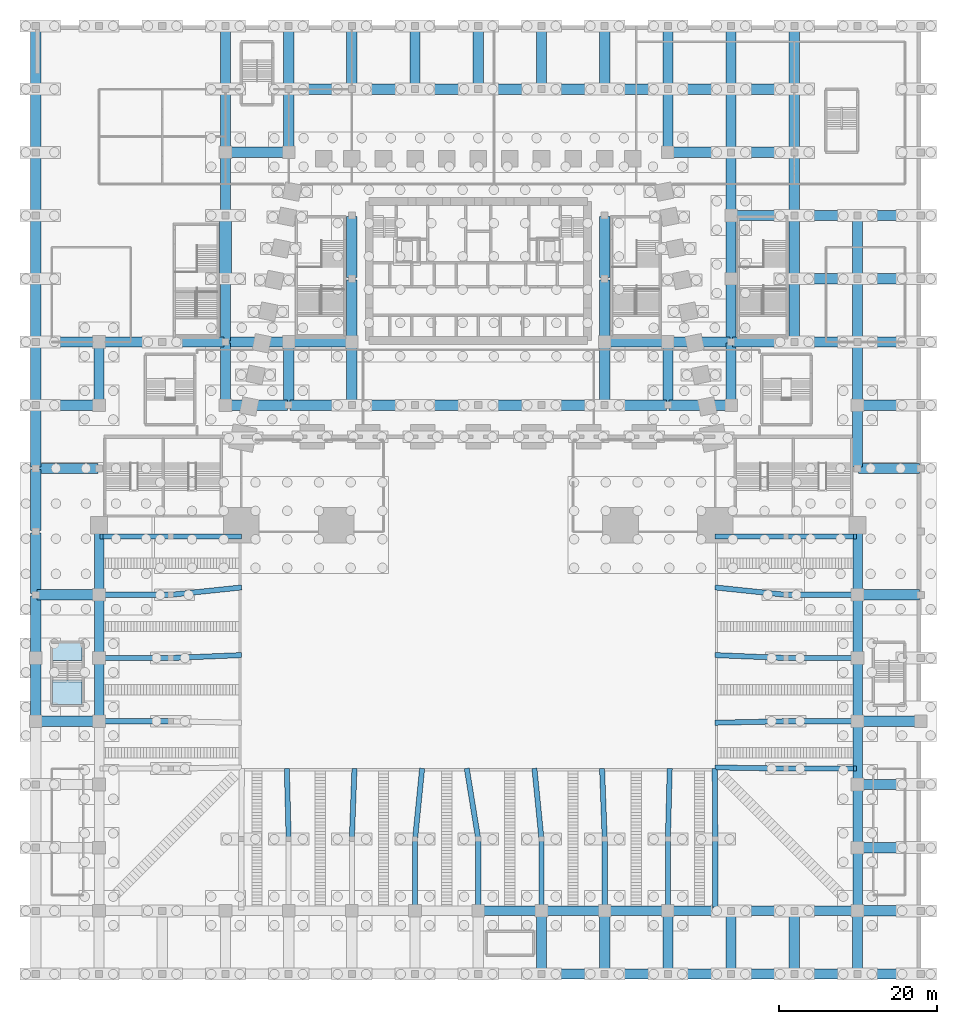
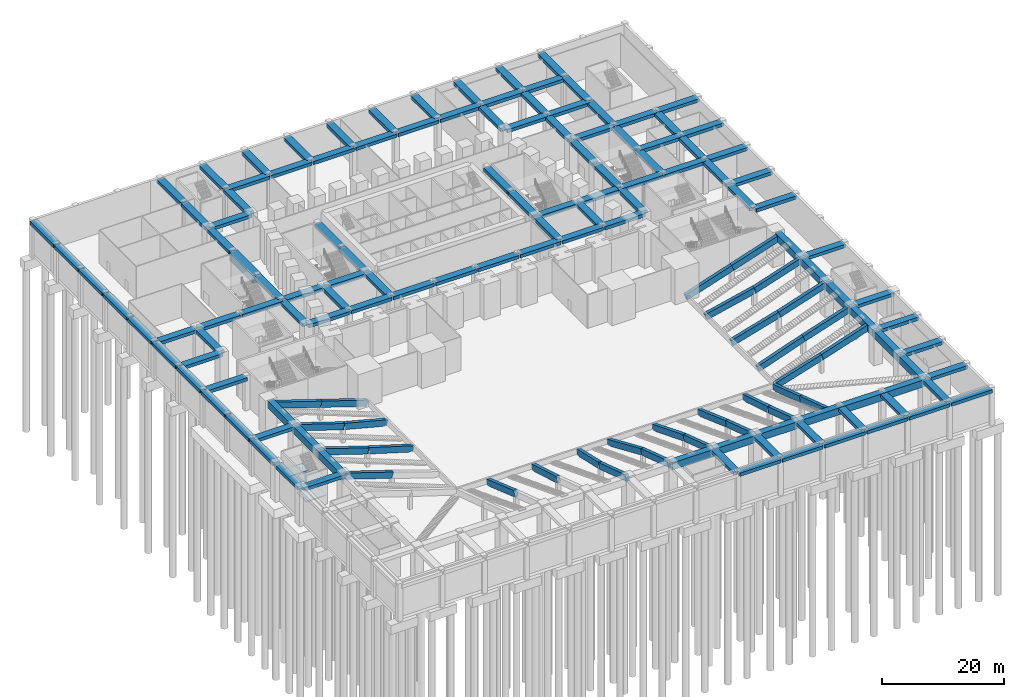
# One storey, part 5 of 30: 153 beams, 3 slabs, 1 element without a shape of its own.
"""IFC4 building model written with IfcOpenShell, lengths in metres."""

from ifc_helpers import new_model, si_unit, direction, frame, origin, origin_2d, place, context, subcontext, project, spatial, polyline, rectangle, outline, extrude, material, layer, layer_set, material_profile, profile_set, type_object, element, aggregate, save


model = new_model("IFC4")

# Units and contexts
model_context = context("Model", 3, precision=1e-05, world=origin(), true_north=direction((0.0, 1.0)))
body_context = subcontext(model_context, "Body", "Model", "MODEL_VIEW")
ifc_project = project(units=[si_unit("LENGTHUNIT", "METRE"), si_unit("AREAUNIT", "SQUARE_METRE"), si_unit("VOLUMEUNIT", "CUBIC_METRE"), si_unit("PLANEANGLEUNIT", "RADIAN"), si_unit("MASSUNIT", "GRAM", prefix="KILO")], contexts=[model_context])

# Site, building, storey
site_placement = place(None, origin())
site = spatial("IfcSite", under=ifc_project, at=site_placement, CompositionType="ELEMENT")
building_placement = place(site_placement, origin())
building = spatial("IfcBuilding", under=site, at=building_placement, Name="Isbrekke Arena Tower", CompositionType="ELEMENT")
storey_placement = place(building_placement, frame((0.0, 0.0, -7.0)))
storey = spatial("IfcBuildingStorey", under=building, at=storey_placement, Name="B1", CompositionType="ELEMENT", Elevation=-7.0)

# Beams
ifc_material_1 = material(Name="Concrete B45 (C45/55)", Category="concrete")
ifc_material_profile_1 = material_profile(ifc_material_1, rectangle(XDim=1.300048828125, YDim=0.64990234375, at=origin_2d()), Name="RC 1300x650")
ifc_profile_set_1 = profile_set([ifc_material_profile_1], Name="Concrete B45 (C45/55)")
beam_type_1 = type_object("IfcBeamType", Name="PB1 RC 1300 x 650", PredefinedType="BEAM", material=ifc_profile_set_1)
for number, where, z_axis, x_axis, name in (
    (1, (8.14990234375, -74.0, 6.375), (1.0, 0.0, 0.0), (0.0, 1.0, 0.0), "PB1 podium beam A9 L00"),
    (2, (8.0, -73.85009765625, 6.375), (0.0, 1.0, 0.0), (-1.0, 0.0, 0.0), "PB1 podium beam A9 L00"),
    (3, (16.14990234375, -74.0, 6.375), (1.0, 0.0, 0.0), (0.0, 1.0, 0.0), "PB1 podium beam A10 L00"),
    (4, (16.0, -73.85009765625, 6.375), (0.0, 1.0, 0.0), (-1.0, 0.0, 0.0), "PB1 podium beam A10 L00"),
    (5, (24.14990234375, -74.0, 6.375), (1.0, 0.0, 0.0), (0.0, 1.0, 0.0), "PB1 podium beam A11 L00"),
    (6, (24.0, -73.85009765625, 6.375), (0.0, 1.0, 0.0), (-1.0, 0.0, 0.0), "PB1 podium beam A11 L00"),
    (7, (32.14990234375, -74.0, 6.375), (1.0, 0.0, 0.0), (0.0, 1.0, 0.0), "PB1 podium beam A12 L00"),
    (8, (32.0, -73.85009765625, 6.375), (0.0, 1.0, 0.0), (-1.0, 0.0, 0.0), "PB1 podium beam A12 L00"),
    (9, (40.14990234375, -74.0, 6.375), (1.0, 0.0, 0.0), (0.0, 1.0, 0.0), "PB1 podium beam A13 L00"),
    (10, (40.0, -73.85009765625, 6.375), (0.0, 1.0, 0.0), (-1.0, 0.0, 0.0), "PB1 podium beam A13 L00"),
    (11, (48.14990234375, -74.0, 6.375), (1.0, 0.0, 0.0), (0.0, 1.0, 0.0), "PB1 podium beam A14 L00"),
    (12, (48.0, -73.85009765625, 6.375), (0.0, 1.0, 0.0), (-1.0, 0.0, 0.0), "PB1 podium beam A14 L00"),
    (13, (48.14990234375, -66.0, 6.375), (1.0, 0.0, 0.0), (0.0, 1.0, 0.0), "PB1 podium beam B14 L00"),
    (14, (48.14990234375, -58.0, 6.375), (1.0, 0.0, 0.0), (0.0, 1.0, 0.0), "PB1 podium beam C14 L00"),
    (15, (48.14990234375, -50.0, 6.375), (1.0, 0.0, 0.0), (0.0, 1.0, 0.0), "PB1 podium beam D14 L00"),
    (16, (-55.85009765625, -42.0, 6.375), (1.0, 0.0, 0.0), (0.0, 1.0, 0.0), "PB1 podium beam E1 L00"),
    (17, (-56.0, -41.85009765625, 6.375), (0.0, 1.0, 0.0), (-1.0, 0.0, 0.0), "PB1 podium beam E1 L00"),
    (18, (48.14990234375, -42.0, 6.375), (1.0, 0.0, 0.0), (0.0, 1.0, 0.0), "PB1 podium beam E14 L00"),
    (19, (-56.0, -33.85009765625, 6.375), (0.0, 1.0, 0.0), (-1.0, 0.0, 0.0), "PB1 podium beam F1 L00"),
    (20, (-55.85009765625, -26.0, 6.375), (1.0, 0.0, 0.0), (0.0, 1.0, 0.0), "PB1 podium beam G1 L00"),
    (21, (-56.0, -25.85009765625, 6.375), (0.0, 1.0, 0.0), (-1.0, 0.0, 0.0), "PB1 podium beam G1 L00"),
    (22, (48.14990234375, -26.0, 6.375), (1.0, 0.0, 0.0), (0.0, 1.0, 0.0), "PB1 podium beam G14 L00"),
    (23, (-56.0, -17.85009765625, 6.375), (0.0, 1.0, 0.0), (-1.0, 0.0, 0.0), "PB1 podium beam H1 L00"),
    (24, (-55.85009765625, -10.0, 6.375), (1.0, 0.0, 0.0), (0.0, 1.0, 0.0), "PB1 podium beam I1 L00"),
    (25, (-56.0, -9.85009765625, 6.375), (0.0, 1.0, 0.0), (-1.0, 0.0, 0.0), "PB1 podium beam I1 L00"),
    (26, (48.14990234375, -10.0, 6.375), (1.0, 0.0, 0.0), (0.0, 1.0, 0.0), "PB1 podium beam I14 L00"),
    (27, (48.0, -9.85009765625, 6.375), (0.0, 1.0, 0.0), (-1.0, 0.0, 0.0), "PB1 podium beam I14 L00"),
    (28, (-55.85009765625, -2.0, 6.375), (1.0, 0.0, 0.0), (0.0, 1.0, 0.0), "PB1 podium beam J1 L00"),
    (29, (-56.0, -1.85009765625, 6.375), (0.0, 1.0, 0.0), (-1.0, 0.0, 0.0), "PB1 podium beam J1 L00"),
    (30, (-48.0, -1.85009765625, 6.375), (0.0, 1.0, 0.0), (-1.0, 0.0, 0.0), "PB1 podium beam J2 L00"),
    (31, (-31.85009765625, -2.0, 6.375), (1.0, 0.0, 0.0), (0.0, 1.0, 0.0), "PB1 podium beam J4 L00"),
    (32, (-32.0, -1.85009765625, 6.375), (0.0, 1.0, 0.0), (-1.0, 0.0, 0.0), "PB1 podium beam J4 L00"),
    (33, (-23.85009765625, -2.0, 6.375), (1.0, 0.0, 0.0), (0.0, 1.0, 0.0), "PB1 podium beam J5 L00"),
    (34, (-24.0, -1.85009765625, 6.375), (0.0, 1.0, 0.0), (-1.0, 0.0, 0.0), "PB1 podium beam J5 L00"),
    (35, (-15.85009765625, -2.0, 6.375), (1.0, 0.0, 0.0), (0.0, 1.0, 0.0), "PB1 podium beam J6 L00"),
    (36, (-16.0, -1.85009765625, 6.375), (0.0, 1.0, 0.0), (-1.0, 0.0, 0.0), "PB1 podium beam J6 L00"),
    (37, (-7.85009765625, -2.0, 6.375), (1.0, 0.0, 0.0), (0.0, 1.0, 0.0), "PB1 podium beam J7 L00"),
    (38, (0.14990234375, -2.0, 6.375), (1.0, 0.0, 0.0), (0.0, 1.0, 0.0), "PB1 podium beam J8 L00"),
    (39, (8.14990234375, -2.0, 6.375), (1.0, 0.0, 0.0), (0.0, 1.0, 0.0), "PB1 podium beam J9 L00"),
    (40, (16.14990234375, -2.0, 6.375), (1.0, 0.0, 0.0), (0.0, 1.0, 0.0), "PB1 podium beam J10 L00"),
    (41, (16.0, -1.85009765625, 6.375), (0.0, 1.0, 0.0), (-1.0, 0.0, 0.0), "PB1 podium beam J10 L00"),
    (42, (24.14990234375, -2.0, 6.375), (1.0, 0.0, 0.0), (0.0, 1.0, 0.0), "PB1 podium beam J11 L00"),
    (43, (24.0, -1.85009765625, 6.375), (0.0, 1.0, 0.0), (-1.0, 0.0, 0.0), "PB1 podium beam J11 L00"),
    (44, (32.0, -1.85009765625, 6.375), (0.0, 1.0, 0.0), (-1.0, 0.0, 0.0), "PB1 podium beam J12 L00"),
    (45, (48.14990234375, -2.0, 6.375), (1.0, 0.0, 0.0), (0.0, 1.0, 0.0), "PB1 podium beam J14 L00"),
    (46, (48.0, -1.85009765625, 6.375), (0.0, 1.0, 0.0), (-1.0, 0.0, 0.0), "PB1 podium beam J14 L00"),
    (47, (-55.85009765625, 6.0, 6.375), (1.0, 0.0, 0.0), (0.0, 1.0, 0.0), "PB1 podium beam K1 L00"),
    (48, (-56.0, 6.14990234375, 6.375), (0.0, 1.0, 0.0), (-1.0, 0.0, 0.0), "PB1 podium beam K1 L00"),
    (49, (-47.85009765625, 6.0, 6.375), (1.0, 0.0, 0.0), (0.0, 1.0, 0.0), "PB1 podium beam K2 L00"),
    (50, (-39.85009765625, 6.0, 6.375), (1.0, 0.0, 0.0), (0.0, 1.0, 0.0), "PB1 podium beam K3 L00"),
    (51, (-31.85009765625, 6.0, 6.375), (1.0, 0.0, 0.0), (0.0, 1.0, 0.0), "PB1 podium beam K4 L00"),
    (52, (-32.0, 6.14990234375, 6.375), (0.0, 1.0, 0.0), (-1.0, 0.0, 0.0), "PB1 podium beam K4 L00"),
    (53, (-23.85009765625, 6.0, 6.375), (1.0, 0.0, 0.0), (0.0, 1.0, 0.0), "PB1 podium beam K5 L00"),
    (54, (-16.0, 6.14990234375, 6.375), (0.0, 1.0, 0.0), (-1.0, 0.0, 0.0), "PB1 podium beam K6 L00"),
    (55, (16.14990234375, 6.0, 6.375), (1.0, 0.0, 0.0), (0.0, 1.0, 0.0), "PB1 podium beam K10 L00"),
    (56, (16.0, 6.14990234375, 6.375), (0.0, 1.0, 0.0), (-1.0, 0.0, 0.0), "PB1 podium beam K10 L00"),
    (57, (24.14990234375, 6.0, 6.375), (1.0, 0.0, 0.0), (0.0, 1.0, 0.0), "PB1 podium beam K11 L00"),
    (58, (32.14990234375, 6.0, 6.375), (1.0, 0.0, 0.0), (0.0, 1.0, 0.0), "PB1 podium beam K12 L00"),
    (59, (32.0, 6.14990234375, 6.375), (0.0, 1.0, 0.0), (-1.0, 0.0, 0.0), "PB1 podium beam K12 L00"),
    (60, (40.14990234375, 6.0, 6.375), (1.0, 0.0, 0.0), (0.0, 1.0, 0.0), "PB1 podium beam K13 L00"),
    (61, (40.0, 6.14990234375, 6.375), (0.0, 1.0, 0.0), (-1.0, 0.0, 0.0), "PB1 podium beam K13 L00"),
    (62, (48.14990234375, 6.0, 6.375), (1.0, 0.0, 0.0), (0.0, 1.0, 0.0), "PB1 podium beam K14 L00"),
    (63, (48.0, 6.14990234375, 6.375), (0.0, 1.0, 0.0), (-1.0, 0.0, 0.0), "PB1 podium beam K14 L00"),
    (64, (-56.0, 14.14990234375, 6.375), (0.0, 1.0, 0.0), (-1.0, 0.0, 0.0), "PB1 podium beam L1 L00"),
    (65, (-16.0, 14.14990234375, 6.375), (0.0, 1.0, 0.0), (-1.0, 0.0, 0.0), "PB1 podium beam L6 L00"),
    (66, (16.0, 14.14990234375, 6.375), (0.0, 1.0, 0.0), (-1.0, 0.0, 0.0), "PB1 podium beam L10 L00"),
    (67, (32.0, 14.14990234375, 6.375), (0.0, 1.0, 0.0), (-1.0, 0.0, 0.0), "PB1 podium beam L12 L00"),
    (68, (40.14990234375, 14.0, 6.375), (1.0, 0.0, 0.0), (0.0, 1.0, 0.0), "PB1 podium beam L13 L00"),
    (69, (40.0, 14.14990234375, 6.375), (0.0, 1.0, 0.0), (-1.0, 0.0, 0.0), "PB1 podium beam L13 L00"),
    (70, (48.14990234375, 14.0, 6.375), (1.0, 0.0, 0.0), (0.0, 1.0, 0.0), "PB1 podium beam L14 L00"),
    (71, (48.0, 14.14990234375, 6.375), (0.0, 1.0, 0.0), (-1.0, 0.0, 0.0), "PB1 podium beam L14 L00"),
    (72, (-56.0, 22.14990234375, 6.375), (0.0, 1.0, 0.0), (-1.0, 0.0, 0.0), "PB1 podium beam M1 L00"),
    (73, (-32.0, 22.14990234375, 6.375), (0.0, 1.0, 0.0), (-1.0, 0.0, 0.0), "PB1 podium beam M4 L00"),
    (74, (32.14990234375, 22.0, 6.375), (1.0, 0.0, 0.0), (0.0, 1.0, 0.0), "PB1 podium beam M12 L00"),
    (75, (32.0, 22.14990234375, 6.375), (0.0, 1.0, 0.0), (-1.0, 0.0, 0.0), "PB1 podium beam M12 L00"),
    (76, (40.14990234375, 22.0, 6.375), (1.0, 0.0, 0.0), (0.0, 1.0, 0.0), "PB1 podium beam M13 L00"),
    (77, (40.0, 22.14990234375, 6.375), (0.0, 1.0, 0.0), (-1.0, 0.0, 0.0), "PB1 podium beam M13 L00"),
    (78, (48.14990234375, 22.0, 6.375), (1.0, 0.0, 0.0), (0.0, 1.0, 0.0), "PB1 podium beam M14 L00"),
    (79, (-56.0, 30.14990234375, 6.375), (0.0, 1.0, 0.0), (-1.0, 0.0, 0.0), "PB1 podium beam N1 L00"),
    (80, (-31.85009765625, 30.0, 6.375), (1.0, 0.0, 0.0), (0.0, 1.0, 0.0), "PB1 podium beam N4 L00"),
    (81, (-32.0, 30.14990234375, 6.375), (0.0, 1.0, 0.0), (-1.0, 0.0, 0.0), "PB1 podium beam N4 L00"),
    (82, (-24.0, 30.14990234375, 6.375), (0.0, 1.0, 0.0), (-1.0, 0.0, 0.0), "PB1 podium beam N5 L00"),
    (83, (24.14990234375, 30.0, 6.375), (1.0, 0.0, 0.0), (0.0, 1.0, 0.0), "PB1 podium beam N11 L00"),
    (84, (24.0, 30.14990234375, 6.375), (0.0, 1.0, 0.0), (-1.0, 0.0, 0.0), "PB1 podium beam N11 L00"),
    (85, (32.14990234375, 30.0, 6.375), (1.0, 0.0, 0.0), (0.0, 1.0, 0.0), "PB1 podium beam N12 L00"),
    (86, (32.0, 30.14990234375, 6.375), (0.0, 1.0, 0.0), (-1.0, 0.0, 0.0), "PB1 podium beam N12 L00"),
    (87, (40.0, 30.14990234375, 6.375), (0.0, 1.0, 0.0), (-1.0, 0.0, 0.0), "PB1 podium beam N13 L00"),
    (88, (-56.0, 38.14990234375, 6.375), (0.0, 1.0, 0.0), (-1.0, 0.0, 0.0), "PB1 podium beam O1 L00"),
    (89, (-32.0, 38.14990234375, 6.375), (0.0, 1.0, 0.0), (-1.0, 0.0, 0.0), "PB1 podium beam O4 L00"),
    (90, (-23.85009765625, 38.0, 6.375), (1.0, 0.0, 0.0), (0.0, 1.0, 0.0), "PB1 podium beam O5 L00"),
    (91, (-24.0, 38.14990234375, 6.375), (0.0, 1.0, 0.0), (-1.0, 0.0, 0.0), "PB1 podium beam O5 L00"),
    (92, (-15.85009765625, 38.0, 6.375), (1.0, 0.0, 0.0), (0.0, 1.0, 0.0), "PB1 podium beam O6 L00"),
    (93, (-16.0, 38.14990234375, 6.375), (0.0, 1.0, 0.0), (-1.0, 0.0, 0.0), "PB1 podium beam O6 L00"),
    (94, (-7.85009765625, 38.0, 6.375), (1.0, 0.0, 0.0), (0.0, 1.0, 0.0), "PB1 podium beam O7 L00"),
    (95, (-8.0, 38.14990234375, 6.375), (0.0, 1.0, 0.0), (-1.0, 0.0, 0.0), "PB1 podium beam O7 L00"),
    (96, (0.14990234375, 38.0, 6.375), (1.0, 0.0, 0.0), (0.0, 1.0, 0.0), "PB1 podium beam O8 L00"),
    (97, (0.0, 38.14990234375, 6.375), (0.0, 1.0, 0.0), (-1.0, 0.0, 0.0), "PB1 podium beam O8 L00"),
    (98, (8.14990234375, 38.0, 6.375), (1.0, 0.0, 0.0), (0.0, 1.0, 0.0), "PB1 podium beam O9 L00"),
    (99, (8.0, 38.14990234375, 6.375), (0.0, 1.0, 0.0), (-1.0, 0.0, 0.0), "PB1 podium beam O9 L00"),
    (100, (16.14990234375, 38.0, 6.375), (1.0, 0.0, 0.0), (0.0, 1.0, 0.0), "PB1 podium beam O10 L00"),
    (101, (16.0, 38.14990234375, 6.375), (0.0, 1.0, 0.0), (-1.0, 0.0, 0.0), "PB1 podium beam O10 L00"),
    (102, (24.14990234375, 38.0, 6.375), (1.0, 0.0, 0.0), (0.0, 1.0, 0.0), "PB1 podium beam O11 L00"),
    (103, (24.0, 38.14990234375, 6.375), (0.0, 1.0, 0.0), (-1.0, 0.0, 0.0), "PB1 podium beam O11 L00"),
    (104, (32.14990234375, 38.0, 6.375), (1.0, 0.0, 0.0), (0.0, 1.0, 0.0), "PB1 podium beam O12 L00"),
    (105, (32.0, 38.14990234375, 6.375), (0.0, 1.0, 0.0), (-1.0, 0.0, 0.0), "PB1 podium beam O12 L00"),
    (106, (40.0, 38.14990234375, 6.375), (0.0, 1.0, 0.0), (-1.0, 0.0, 0.0), "PB1 podium beam O13 L00"),
):
    element("IfcBeam", number, at=place(storey_placement, frame(where, z_axis=z_axis, x_axis=x_axis)), inside=storey, type_object=beam_type_1, Name=name, PredefinedType="BEAM", context=body_context, shape_type="SweptSolid", body=[
        extrude(rectangle(XDim=1.300048828125, YDim=0.64990234375, at=origin_2d()), origin(), (0.0, 0.0, 1.0), 7.7001953125),
    ])
ifc_material_2 = material(Name="Concrete B45 (C45/55)", Category="concrete")
ifc_material_profile_2 = material_profile(ifc_material_2, rectangle(XDim=1.5, YDim=1.60009765625, at=origin_2d()), Name="RC 1500x1600")
ifc_profile_set_2 = profile_set([ifc_material_profile_2], Name="Concrete B45 (C45/55)")
beam_type_2 = type_object("IfcBeamType", Name="PB2 RC 1500 x 1600", PredefinedType="BEAM", material=ifc_profile_set_2)
beam_1_placement = place(storey_placement, frame((-32.0, 14.14990234375, 5.89990234375), z_axis=(0.0, 1.0, 0.0), x_axis=(-1.0, 0.0, 0.0)))
element("IfcBeam", 107, at=beam_1_placement, inside=storey, type_object=beam_type_2, Name="PB2 podium beam L4 L00", PredefinedType="BEAM", context=body_context, shape_type="SweptSolid", body=[
    extrude(rectangle(XDim=1.5, YDim=1.60009765625, at=origin_2d()), origin(), (0.0, 0.0, 1.0), 7.7001953125),
])
ifc_material_3 = material(Name="Concrete B45 (C45/55)", Category="concrete")
ifc_material_profile_3 = material_profile(ifc_material_3, rectangle(XDim=0.64990234375, YDim=1.199951171875, at=origin_2d()), Name="RC 650x1200")
ifc_profile_set_3 = profile_set([ifc_material_profile_3], Name="Concrete B45 (C45/55)")
beam_type_3 = type_object("IfcBeamType", Name="RB1 RC 650 x 1200", PredefinedType="BEAM", material=ifc_profile_set_3)
beam_2_placement = place(storey_placement, frame((30.14990234375, -47.85009765625, 0.299072265625), z_axis=(0.950065453939, -0.016239982982, 0.311627816768), x_axis=(0.017091044476, 0.999853937432, 0.0)))
element("IfcBeam", 108, at=beam_2_placement, inside=storey, type_object=beam_type_3, Name="RB1 raker E48 span 1", PredefinedType="BEAM", context=body_context, shape_type="SweptSolid", body=[
    extrude(rectangle(XDim=0.64990234375, YDim=1.199951171875, at=origin_2d()), origin(), (0.0, 0.0, 1.0), 9.23046875),
])
beam_3_placement = place(storey_placement, frame((38.925048828125, -48.0, 3.175537109375), z_axis=(0.950255071756, 0.0, 0.311472789504), x_axis=(0.0, 1.0, 0.0)))
element("IfcBeam", 109, at=beam_3_placement, inside=storey, type_object=beam_type_3, Name="RB1 raker E48 span 2", PredefinedType="BEAM", context=body_context, shape_type="SweptSolid", body=[
    extrude(rectangle(XDim=0.64990234375, YDim=1.199951171875, at=origin_2d()), origin(), (0.0, 0.0, 1.0), 9.234375),
])
beam_4_placement = place(storey_placement, frame((30.14990234375, -42.1875, 0.299072265625), z_axis=(0.949979767861, 0.020288313247, 0.311651768807), x_axis=(-0.021351705302, 0.999772026354, 0.0)))
element("IfcBeam", 110, at=beam_4_placement, inside=storey, type_object=beam_type_3, Name="RB1 raker E42 span 1", PredefinedType="BEAM", context=body_context, shape_type="SweptSolid", body=[
    extrude(rectangle(XDim=0.64990234375, YDim=1.199951171875, at=origin_2d()), origin(), (0.0, 0.0, 1.0), 9.229736328125),
])
beam_5_placement = place(storey_placement, frame((38.925048828125, -42.0, 3.175537109375), z_axis=(0.950255071756, 0.0, 0.311472789504), x_axis=(0.0, 1.0, 0.0)))
element("IfcBeam", 111, at=beam_5_placement, inside=storey, type_object=beam_type_3, Name="RB1 raker E42 span 2", PredefinedType="BEAM", context=body_context, shape_type="SweptSolid", body=[
    extrude(rectangle(XDim=0.64990234375, YDim=1.199951171875, at=origin_2d()), origin(), (0.0, 0.0, 1.0), 9.234375),
])
beam_6_placement = place(storey_placement, frame((30.14990234375, -33.637451171875, 0.299072265625), z_axis=(0.949377008702, -0.039231110786, 0.311679667759), x_axis=(0.041287768634, 0.999147296529, 0.0)))
element("IfcBeam", 112, at=beam_6_placement, inside=storey, type_object=beam_type_3, Name="RB1 raker E34 span 1", PredefinedType="BEAM", context=body_context, shape_type="SweptSolid", body=[
    extrude(rectangle(XDim=0.64990234375, YDim=1.199951171875, at=origin_2d()), origin(), (0.0, 0.0, 1.0), 9.22900390625),
])
beam_7_placement = place(storey_placement, frame((38.925048828125, -34.0, 3.175537109375), z_axis=(0.950255071756, 0.0, 0.311472789504), x_axis=(0.0, 1.0, 0.0)))
element("IfcBeam", 113, at=beam_7_placement, inside=storey, type_object=beam_type_3, Name="RB1 raker E34 span 2", PredefinedType="BEAM", context=body_context, shape_type="SweptSolid", body=[
    extrude(rectangle(XDim=0.64990234375, YDim=1.199951171875, at=origin_2d()), origin(), (0.0, 0.0, 1.0), 9.234375),
])
beam_8_placement = place(storey_placement, frame((30.14990234375, -25.08740234375, 0.299072265625), z_axis=(0.945294619004, -0.098315286856, 0.311050136879), x_axis=(0.103446926402, 0.994634974962, 0.0)))
element("IfcBeam", 114, at=beam_8_placement, inside=storey, type_object=beam_type_3, Name="RB1 raker E26 span 1", PredefinedType="BEAM", context=body_context, shape_type="SweptSolid", body=[
    extrude(rectangle(XDim=0.64990234375, YDim=1.199951171875, at=origin_2d()), origin(), (0.0, 0.0, 1.0), 9.24755859375),
])
beam_9_placement = place(storey_placement, frame((38.925048828125, -26.0, 3.175537109375), z_axis=(0.950255071756, 0.0, 0.311472789504), x_axis=(0.0, 1.0, 0.0)))
element("IfcBeam", 115, at=beam_9_placement, inside=storey, type_object=beam_type_3, Name="RB1 raker E26 span 2", PredefinedType="BEAM", context=body_context, shape_type="SweptSolid", body=[
    extrude(rectangle(XDim=0.64990234375, YDim=1.199951171875, at=origin_2d()), origin(), (0.0, 0.0, 1.0), 9.234375),
])
beam_10_placement = place(storey_placement, frame((30.14990234375, -18.60009765625, 0.299072265625), z_axis=(0.950249811491, 0.0, 0.311488837298), x_axis=(0.0, 1.0, 0.0)))
element("IfcBeam", 116, at=beam_10_placement, inside=storey, type_object=beam_type_3, Name="RB1 raker E18 span 1", PredefinedType="BEAM", context=body_context, shape_type="SweptSolid", body=[
    extrude(rectangle(XDim=0.64990234375, YDim=1.199951171875, at=origin_2d()), origin(), (0.0, 0.0, 1.0), 9.234619140625),
])
for number, where, z_axis, x_axis, name in (
    (117, (38.925048828125, -18.60009765625, 3.175537109375), (0.950255071756, 0.0, 0.311472789504), (0.0, 1.0, 0.0), "RB1 raker E18 span 2"),
    (118, (-38.925048828125, -42.0, 3.175537109375), (-0.950255071756, 0.0, 0.311472789504), (0.0, -1.0, 0.0), "RB1 raker W42 span 2"),
):
    element("IfcBeam", number, at=place(storey_placement, frame(where, z_axis=z_axis, x_axis=x_axis)), inside=storey, type_object=beam_type_3, Name=name, PredefinedType="BEAM", context=body_context, shape_type="SweptSolid", body=[
        extrude(rectangle(XDim=0.64990234375, YDim=1.199951171875, at=origin_2d()), origin(), (0.0, 0.0, 1.0), 9.234375),
    ])
beam_11_placement = place(storey_placement, frame((-30.14990234375, -33.637451171875, 0.299072265625), z_axis=(-0.949377008702, -0.039231110786, 0.311679667759), x_axis=(0.041287768634, -0.999147296529, 0.0)))
element("IfcBeam", 119, at=beam_11_placement, inside=storey, type_object=beam_type_3, Name="RB1 raker W34 span 1", PredefinedType="BEAM", context=body_context, shape_type="SweptSolid", body=[
    extrude(rectangle(XDim=0.64990234375, YDim=1.199951171875, at=origin_2d()), origin(), (0.0, 0.0, 1.0), 9.22900390625),
])
beam_12_placement = place(storey_placement, frame((-38.925048828125, -34.0, 3.175537109375), z_axis=(-0.950255071756, 0.0, 0.311472789504), x_axis=(0.0, -1.0, 0.0)))
element("IfcBeam", 120, at=beam_12_placement, inside=storey, type_object=beam_type_3, Name="RB1 raker W34 span 2", PredefinedType="BEAM", context=body_context, shape_type="SweptSolid", body=[
    extrude(rectangle(XDim=0.64990234375, YDim=1.199951171875, at=origin_2d()), origin(), (0.0, 0.0, 1.0), 9.234375),
])
beam_13_placement = place(storey_placement, frame((-30.14990234375, -25.08740234375, 0.299072265625), z_axis=(-0.945294619004, -0.098315286856, 0.311050136879), x_axis=(0.103446926402, -0.994634974962, 0.0)))
element("IfcBeam", 121, at=beam_13_placement, inside=storey, type_object=beam_type_3, Name="RB1 raker W26 span 1", PredefinedType="BEAM", context=body_context, shape_type="SweptSolid", body=[
    extrude(rectangle(XDim=0.64990234375, YDim=1.199951171875, at=origin_2d()), origin(), (0.0, 0.0, 1.0), 9.24755859375),
])
beam_14_placement = place(storey_placement, frame((-38.925048828125, -26.0, 3.175537109375), z_axis=(-0.950255071756, 0.0, 0.311472789504), x_axis=(0.0, -1.0, 0.0)))
element("IfcBeam", 122, at=beam_14_placement, inside=storey, type_object=beam_type_3, Name="RB1 raker W26 span 2", PredefinedType="BEAM", context=body_context, shape_type="SweptSolid", body=[
    extrude(rectangle(XDim=0.64990234375, YDim=1.199951171875, at=origin_2d()), origin(), (0.0, 0.0, 1.0), 9.234375),
])
beam_15_placement = place(storey_placement, frame((-30.14990234375, -18.60009765625, 0.299072265625), z_axis=(-0.950249811491, 0.0, 0.311488837298), x_axis=(0.0, -1.0, 0.0)))
element("IfcBeam", 123, at=beam_15_placement, inside=storey, type_object=beam_type_3, Name="RB1 raker W18 span 1", PredefinedType="BEAM", context=body_context, shape_type="SweptSolid", body=[
    extrude(rectangle(XDim=0.64990234375, YDim=1.199951171875, at=origin_2d()), origin(), (0.0, 0.0, 1.0), 9.234619140625),
])
beam_16_placement = place(storey_placement, frame((-38.925048828125, -18.60009765625, 3.175537109375), z_axis=(-0.950255071756, 0.0, 0.311472789504), x_axis=(0.0, -1.0, 0.0)))
element("IfcBeam", 124, at=beam_16_placement, inside=storey, type_object=beam_type_3, Name="RB1 raker W18 span 2", PredefinedType="BEAM", context=body_context, shape_type="SweptSolid", body=[
    extrude(rectangle(XDim=0.64990234375, YDim=1.199951171875, at=origin_2d()), origin(), (0.0, 0.0, 1.0), 9.234375),
])
beam_17_placement = place(storey_placement, frame((-24.22509765625, -48.14990234375, 0.299072265625), z_axis=(0.024362691995, -0.949880463456, 0.311662580981), x_axis=(0.999671247973, 0.025639734311, 0.0)))
element("IfcBeam", 125, at=beam_17_placement, inside=storey, type_object=beam_type_3, Name="RB1 raker S-24 span 1", PredefinedType="BEAM", context=body_context, shape_type="SweptSolid", body=[
    extrude(rectangle(XDim=0.64990234375, YDim=1.199951171875, at=origin_2d()), origin(), (0.0, 0.0, 1.0), 9.2294921875),
])
beam_18_placement = place(storey_placement, frame((-15.675048828125, -48.14990234375, 0.299072265625), z_axis=(-0.035157241549, -0.949536514783, 0.3116799247), x_axis=(0.99931525322, -0.037000333525, 0.0)))
element("IfcBeam", 126, at=beam_18_placement, inside=storey, type_object=beam_type_3, Name="RB1 raker S-16 span 1", PredefinedType="BEAM", context=body_context, shape_type="SweptSolid", body=[
    extrude(rectangle(XDim=0.64990234375, YDim=1.199951171875, at=origin_2d()), origin(), (0.0, 0.0, 1.0), 9.22900390625),
])
beam_19_placement = place(storey_placement, frame((-7.125, -48.14990234375, 0.299072265625), z_axis=(-0.094300932729, -0.945676477725, 0.311132340916), x_axis=(0.995064937985, -0.099225849419, 0.0)))
element("IfcBeam", 127, at=beam_19_placement, inside=storey, type_object=beam_type_3, Name="RB1 raker S-8 span 1", PredefinedType="BEAM", context=body_context, shape_type="SweptSolid", body=[
    extrude(rectangle(XDim=0.64990234375, YDim=1.199951171875, at=origin_2d()), origin(), (0.0, 0.0, 1.0), 9.2451171875),
])
beam_20_placement = place(storey_placement, frame((-8.0, -56.925048828125, 3.175537109375), z_axis=(0.0, -0.950255071756, 0.311472789504), x_axis=(1.0, 0.0, 0.0)))
element("IfcBeam", 128, at=beam_20_placement, inside=storey, type_object=beam_type_3, Name="RB1 raker S-8 span 2", PredefinedType="BEAM", context=body_context, shape_type="SweptSolid", body=[
    extrude(rectangle(XDim=0.64990234375, YDim=1.199951171875, at=origin_2d()), origin(), (0.0, 0.0, 1.0), 9.234375),
])
beam_21_placement = place(storey_placement, frame((-1.425048828125, -48.14990234375, 0.299072265625), z_axis=(0.15243282388, -0.938605835407, 0.309488804231), x_axis=(0.987067818645, 0.160303217049, 0.0)))
element("IfcBeam", 129, at=beam_21_placement, inside=storey, type_object=beam_type_3, Name="RB1 raker S+0 span 1", PredefinedType="BEAM", context=body_context, shape_type="SweptSolid", body=[
    extrude(rectangle(XDim=0.64990234375, YDim=1.199951171875, at=origin_2d()), origin(), (0.0, 0.0, 1.0), 9.294189453125),
])
beam_22_placement = place(storey_placement, frame((0.0, -56.925048828125, 3.175537109375), z_axis=(0.0, -0.950255071756, 0.311472789504), x_axis=(1.0, 0.0, 0.0)))
element("IfcBeam", 130, at=beam_22_placement, inside=storey, type_object=beam_type_3, Name="RB1 raker S+0 span 2", PredefinedType="BEAM", context=body_context, shape_type="SweptSolid", body=[
    extrude(rectangle(XDim=0.64990234375, YDim=1.199951171875, at=origin_2d()), origin(), (0.0, 0.0, 1.0), 9.234375),
])
beam_23_placement = place(storey_placement, frame((7.125, -48.14990234375, 0.299072265625), z_axis=(0.094300932729, -0.945676477725, 0.311132340916), x_axis=(0.995064937985, 0.099225849419, 0.0)))
element("IfcBeam", 131, at=beam_23_placement, inside=storey, type_object=beam_type_3, Name="RB1 raker S+8 span 1", PredefinedType="BEAM", context=body_context, shape_type="SweptSolid", body=[
    extrude(rectangle(XDim=0.64990234375, YDim=1.199951171875, at=origin_2d()), origin(), (0.0, 0.0, 1.0), 9.2451171875),
])
beam_24_placement = place(storey_placement, frame((8.0, -56.925048828125, 3.175537109375), z_axis=(0.0, -0.950255071756, 0.311472789504), x_axis=(1.0, 0.0, 0.0)))
element("IfcBeam", 132, at=beam_24_placement, inside=storey, type_object=beam_type_3, Name="RB1 raker S+8 span 2", PredefinedType="BEAM", context=body_context, shape_type="SweptSolid", body=[
    extrude(rectangle(XDim=0.64990234375, YDim=1.199951171875, at=origin_2d()), origin(), (0.0, 0.0, 1.0), 9.234375),
])
beam_25_placement = place(storey_placement, frame((15.675048828125, -48.14990234375, 0.299072265625), z_axis=(0.035157241549, -0.949536514783, 0.3116799247), x_axis=(0.99931525322, 0.037000333525, 0.0)))
element("IfcBeam", 133, at=beam_25_placement, inside=storey, type_object=beam_type_3, Name="RB1 raker S+16 span 1", PredefinedType="BEAM", context=body_context, shape_type="SweptSolid", body=[
    extrude(rectangle(XDim=0.64990234375, YDim=1.199951171875, at=origin_2d()), origin(), (0.0, 0.0, 1.0), 9.22900390625),
])
beam_26_placement = place(storey_placement, frame((16.0, -56.925048828125, 3.175537109375), z_axis=(0.0, -0.950255071756, 0.311472789504), x_axis=(1.0, 0.0, 0.0)))
element("IfcBeam", 134, at=beam_26_placement, inside=storey, type_object=beam_type_3, Name="RB1 raker S+16 span 2", PredefinedType="BEAM", context=body_context, shape_type="SweptSolid", body=[
    extrude(rectangle(XDim=0.64990234375, YDim=1.199951171875, at=origin_2d()), origin(), (0.0, 0.0, 1.0), 9.234375),
])
beam_27_placement = place(storey_placement, frame((24.22509765625, -48.14990234375, 0.299072265625), z_axis=(-0.024362691995, -0.949880463456, 0.311662580981), x_axis=(0.999671247973, -0.025639734311, 0.0)))
element("IfcBeam", 135, at=beam_27_placement, inside=storey, type_object=beam_type_3, Name="RB1 raker S+24 span 1", PredefinedType="BEAM", context=body_context, shape_type="SweptSolid", body=[
    extrude(rectangle(XDim=0.64990234375, YDim=1.199951171875, at=origin_2d()), origin(), (0.0, 0.0, 1.0), 9.2294921875),
])
beam_28_placement = place(storey_placement, frame((24.0, -56.925048828125, 3.175537109375), z_axis=(0.0, -0.950255071756, 0.311472789504), x_axis=(1.0, 0.0, 0.0)))
element("IfcBeam", 136, at=beam_28_placement, inside=storey, type_object=beam_type_3, Name="RB1 raker S+24 span 2", PredefinedType="BEAM", context=body_context, shape_type="SweptSolid", body=[
    extrude(rectangle(XDim=0.64990234375, YDim=1.199951171875, at=origin_2d()), origin(), (0.0, 0.0, 1.0), 9.234375),
])
beam_29_placement = place(storey_placement, frame((29.925048828125, -48.14990234375, 0.299072265625), z_axis=(0.008118550113, -0.950187700682, 0.311572499776), x_axis=(0.999963500714, 0.008543842218, 0.0)))
element("IfcBeam", 137, at=beam_29_placement, inside=storey, type_object=beam_type_3, Name="RB1 raker S+30 span 1", PredefinedType="BEAM", context=body_context, shape_type="SweptSolid", body=[
    extrude(rectangle(XDim=0.64990234375, YDim=1.199951171875, at=origin_2d()), origin(), (0.0, 0.0, 1.0), 9.232177734375),
])
beam_30_placement = place(storey_placement, frame((30.0, -56.925048828125, 3.175537109375), z_axis=(0.0, -0.950255071756, 0.311472789504), x_axis=(1.0, 0.0, 0.0)))
element("IfcBeam", 138, at=beam_30_placement, inside=storey, type_object=beam_type_3, Name="RB1 raker S+30 span 2", PredefinedType="BEAM", context=body_context, shape_type="SweptSolid", body=[
    extrude(rectangle(XDim=0.64990234375, YDim=1.199951171875, at=origin_2d()), origin(), (0.0, 0.0, 1.0), 9.234375),
])
ifc_material_4 = material(Name="Concrete B45 (C45/55)", Category="concrete")
ifc_material_profile_4 = material_profile(ifc_material_4, rectangle(XDim=1.199951171875, YDim=1.39990234375, at=origin_2d()), Name="RC 1200x1400")
ifc_profile_set_4 = profile_set([ifc_material_profile_4], Name="Concrete B45 (C45/55)")
beam_type_4 = type_object("IfcBeamType", Name="RB2 RC 1200 x 1400", PredefinedType="BEAM", material=ifc_profile_set_4)
for number, where, z_axis, x_axis, name in (
    (139, (48.0, -66.0, 6.0), (0.0, 1.0, 0.0), (-1.0, 0.0, 0.0), "RB2 bowl ring beam E66"),
    (140, (48.0, -58.0, 6.0), (0.0, 1.0, 0.0), (-1.0, 0.0, 0.0), "RB2 bowl ring beam E58"),
    (141, (48.0, -50.0, 6.0), (0.0, 1.0, 0.0), (-1.0, 0.0, 0.0), "RB2 bowl ring beam E50"),
    (142, (48.0, -42.0, 6.0), (0.0, 1.0, 0.0), (-1.0, 0.0, 0.0), "RB2 bowl ring beam E42"),
    (143, (48.0, -34.0, 6.0), (0.0, 1.0, 0.0), (-1.0, 0.0, 0.0), "RB2 bowl ring beam E34"),
    (144, (48.0, -26.0, 6.0), (0.0, 1.0, 0.0), (-1.0, 0.0, 0.0), "RB2 bowl ring beam E26"),
    (145, (-48.0, -42.0, 6.0), (0.0, 1.0, 0.0), (-1.0, 0.0, 0.0), "RB2 bowl ring beam W42"),
    (146, (-48.0, -34.0, 6.0), (0.0, 1.0, 0.0), (-1.0, 0.0, 0.0), "RB2 bowl ring beam W34"),
    (147, (-48.0, -26.0, 6.0), (0.0, 1.0, 0.0), (-1.0, 0.0, 0.0), "RB2 bowl ring beam W26"),
    (148, (0.0, -66.0, 6.0), (1.0, 0.0, 0.0), (0.0, 1.0, 0.0), "RB2 bowl ring beam S+0"),
    (149, (8.0, -66.0, 6.0), (1.0, 0.0, 0.0), (0.0, 1.0, 0.0), "RB2 bowl ring beam S+8"),
    (150, (16.0, -66.0, 6.0), (1.0, 0.0, 0.0), (0.0, 1.0, 0.0), "RB2 bowl ring beam S+16"),
    (151, (24.0, -66.0, 6.0), (1.0, 0.0, 0.0), (0.0, 1.0, 0.0), "RB2 bowl ring beam S+24"),
    (152, (32.0, -66.0, 6.0), (1.0, 0.0, 0.0), (0.0, 1.0, 0.0), "RB2 bowl ring beam S+32"),
    (153, (40.0, -66.0, 6.0), (1.0, 0.0, 0.0), (0.0, 1.0, 0.0), "RB2 bowl ring beam S+40"),
):
    element("IfcBeam", number, at=place(storey_placement, frame(where, z_axis=z_axis, x_axis=x_axis)), inside=storey, type_object=beam_type_4, Name=name, PredefinedType="BEAM", context=body_context, shape_type="SweptSolid", body=[
        extrude(rectangle(XDim=1.199951171875, YDim=1.39990234375, at=origin_2d()), origin(), (0.0, 0.0, 1.0), 8.0),
    ])

# Stair, slabs
ifc_material_5 = material(Name="Concrete B45 (C45/55) precast", Category="concrete")
stair_type = type_object("IfcStairType", Name="ST70 STAIR 1800 WIDE, 42 RISERS 167", PredefinedType="HALF_TURN_STAIR", material=ifc_material_5)
stair_placement = place(storey_placement, origin())
stair = element("IfcStair", 154, at=stair_placement, inside=storey, type_object=stair_type, Name="P4 stair B1", PredefinedType="HALF_TURN_STAIR")
ifc_material_6 = material(Name="Concrete B35 (C35/45)", Category="concrete")
ifc_layer = layer(ifc_material_6, 0.199951171875)
ifc_layer_set = layer_set([ifc_layer], Name="SL1 STAIR LANDING 200")
slab_type = type_object("IfcSlabType", Name="SL1 STAIR LANDING 200", PredefinedType="LANDING", material=ifc_layer_set)
slab_1_placement = place(storey_placement, frame((0.0, 0.0, 1.466552734375)))
slab_1 = element("IfcSlab", 155, at=slab_1_placement, type_object=slab_type, Name="P4 landing 1", PredefinedType="LANDING", context=body_context, shape_type="SweptSolid", body=[
    extrude(outline(polyline([(-53.875, -39.875), (-50.125, -39.875), (-50.125, -36.7548828125), (-53.875, -36.7548828125), (-53.875, -39.875)])), origin(), (0.0, 0.0, 1.0), 0.2001953125),
])
slab_2_placement = place(storey_placement, frame((0.0, 0.0, 3.13330078125)))
slab_2 = element("IfcSlab", 156, at=slab_2_placement, type_object=slab_type, Name="P4 landing 2", PredefinedType="LANDING", context=body_context, shape_type="SweptSolid", body=[
    extrude(outline(polyline([(-53.875, -34.324951171875), (-50.125, -34.324951171875), (-50.125, -32.125), (-53.875, -32.125), (-53.875, -34.324951171875)])), origin(), (0.0, 0.0, 1.0), 0.199951171875),
])
slab_3_placement = place(storey_placement, frame((0.0, 0.0, 4.966552734375)))
slab_3 = element("IfcSlab", 157, at=slab_3_placement, type_object=slab_type, Name="P4 landing 3", PredefinedType="LANDING", context=body_context, shape_type="SweptSolid", body=[
    extrude(outline(polyline([(-53.875, -39.875), (-50.125, -39.875), (-50.125, -37.02490234375), (-53.875, -37.02490234375), (-53.875, -39.875)])), origin(), (0.0, 0.0, 1.0), 0.2001953125),
])
aggregate(stair, [slab_1, slab_2, slab_3])

save(model, "model.ifc")
